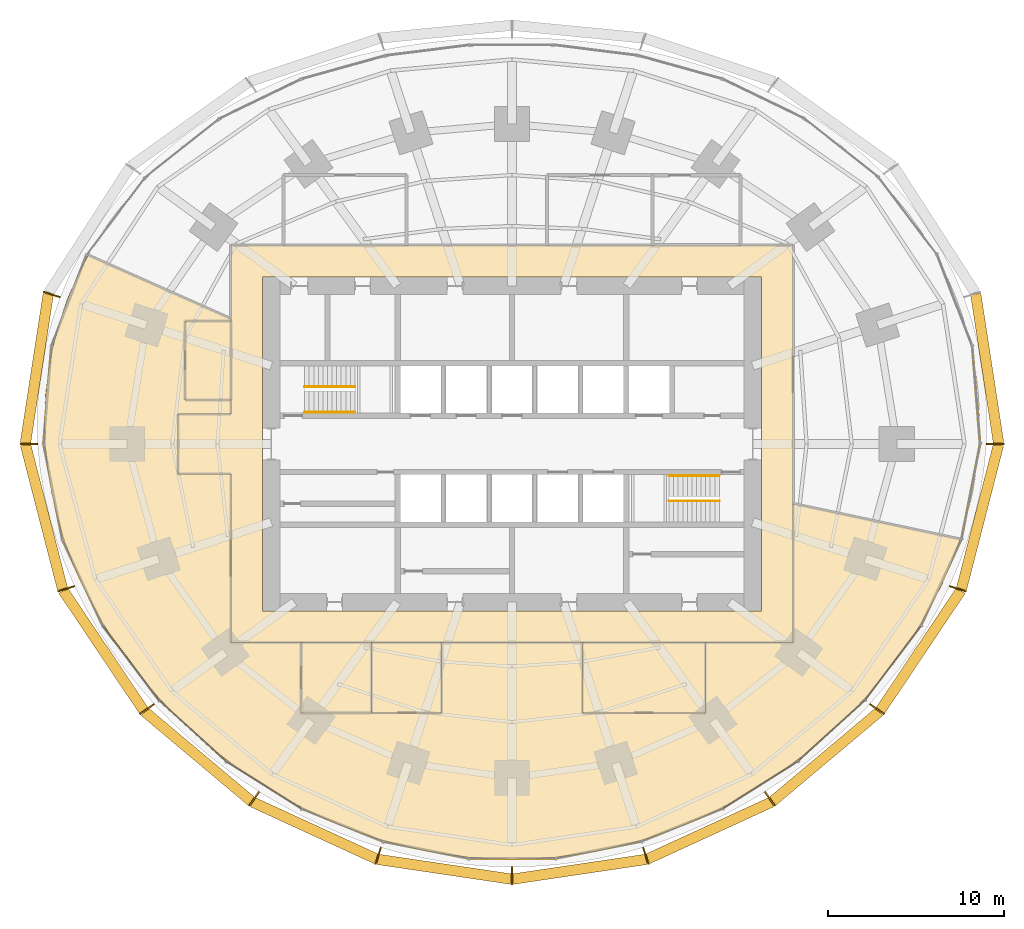
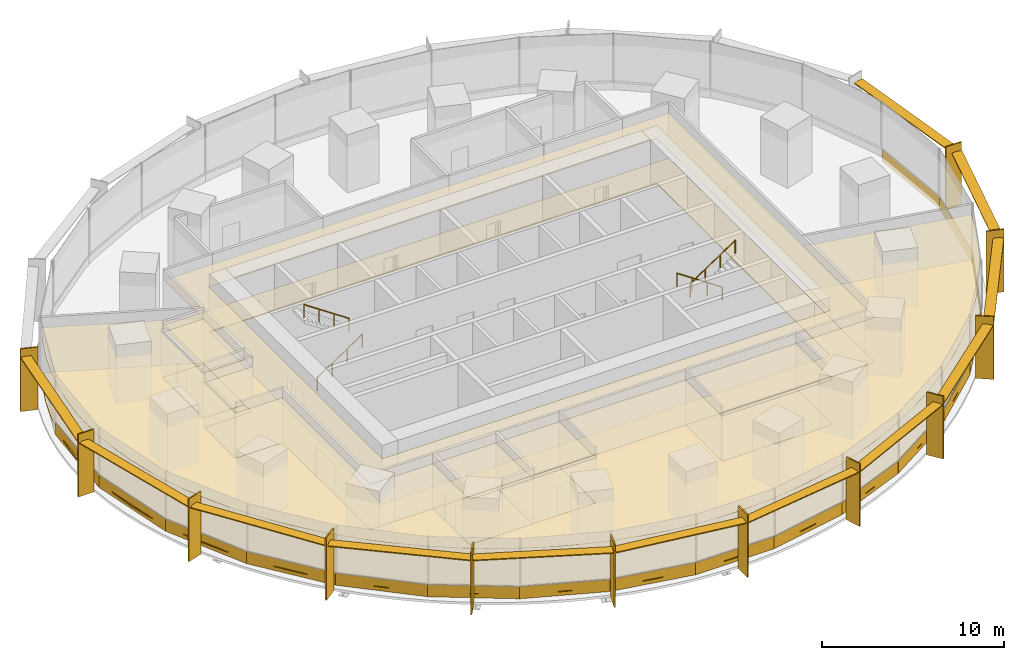
# One storey, part 14 of 15: 29 coverings, 24 shading devices, 4 railings.
"""IFC4 building model written with IfcOpenShell, lengths in metres."""

from ifc_helpers import new_model, si_unit, direction, frame, origin, origin_2d, place, context, subcontext, project, spatial, polyline, rectangle, circle, outline, extrude, material, layer, layer_set, type_object, element, save


model = new_model("IFC4")

# Units and contexts
model_context = context("Model", 3, precision=1e-05, world=origin(), true_north=direction((0.0, 1.0)))
body_context = subcontext(model_context, "Body", "Model", "MODEL_VIEW")
ifc_project = project(units=[si_unit("LENGTHUNIT", "METRE"), si_unit("AREAUNIT", "SQUARE_METRE"), si_unit("VOLUMEUNIT", "CUBIC_METRE"), si_unit("PLANEANGLEUNIT", "RADIAN"), si_unit("MASSUNIT", "GRAM", prefix="KILO")], contexts=[model_context])

# Site, building, storey
site_placement = place(None, origin())
site = spatial("IfcSite", under=ifc_project, at=site_placement, CompositionType="ELEMENT")
building_placement = place(site_placement, origin())
building = spatial("IfcBuilding", under=site, at=building_placement, Name="Marramba Exchange Tower", CompositionType="ELEMENT")
storey_placement = place(building_placement, frame((0.0, 0.0, 32.199951171875)))
storey = spatial("IfcBuildingStorey", under=building, at=storey_placement, Name="L07", CompositionType="ELEMENT", Elevation=32.199951171875)

# Shading devices
ifc_material_1 = material(Name="Aluminium blade, timber-look bronze finish", Category="wood")
ifc_layer_1 = layer(ifc_material_1, 0.080078125)
ifc_layer_set_1 = layer_set([ifc_layer_1], Name="Floor-edge blade 1000x80")
shading_device_type_1 = type_object("IfcShadingDeviceType", Name="Floor-edge blade 1000x80", PredefinedType="USERDEFINED", material=ifc_layer_set_1)
for number, where, z_axis, x_axis, name in (
    (1, (27.5, 0.0, -0.16015625), (0.0, 0.0, 1.0), (1.0, 0.0, 0.0), "Floor-edge blade FB1 L07 TC01"),
    (2, (-26.193115234375, 8.5107421875, -0.16015625), (0.0, 0.0, 1.0), (-0.951056516295, 0.309016994375, 0.0), "Floor-edge blade FB1 L07 TC10"),
    (3, (-27.5, 0.0, -0.16015625), (0.0, 0.0, 1.0), (-1.0, 0.0, 0.0), "Floor-edge blade FB1 L07 TC11"),
    (4, (-25.3740234375, -8.24462890625, -0.16015625), (0.0, 0.0, 1.0), (-0.951056516295, -0.309016994375, 0.0), "Floor-edge blade FB1 L07 TC12"),
    (5, (-20.773193359375, -15.092529296875, -0.16015625), (0.0, 0.0, 1.0), (-0.809016994375, -0.587785252292, 0.0), "Floor-edge blade FB1 L07 TC13"),
    (6, (-14.6787109375, -20.20361328125, -0.16015625), (0.0, 0.0, 1.0), (-0.587785252292, -0.809016994375, 0.0), "Floor-edge blade FB1 L07 TC14"),
    (7, (-7.61767578125, -23.444580078125, -0.16015625), (0.0, 0.0, 1.0), (-0.309016994375, -0.951056516295, 0.0), "Floor-edge blade FB1 L07 TC15"),
    (8, (0.0, -24.572021484375, -0.16015625), (0.0, 0.0, 1.0), (0.0, -1.0, 0.0), "Floor-edge blade FB1 L07 TC16"),
    (9, (7.61767578125, -23.444580078125, -0.16015625), (0.0, 0.0, 1.0), (0.309016994375, -0.951056516295, 0.0), "Floor-edge blade FB1 L07 TC17"),
    (10, (14.6787109375, -20.20361328125, -0.16015625), (0.0, 0.0, 1.0), (0.587785252292, -0.809016994375, 0.0), "Floor-edge blade FB1 L07 TC18"),
    (11, (20.773193359375, -15.092529296875, -0.16015625), (0.0, 0.0, 1.0), (0.809016994375, -0.587785252292, 0.0), "Floor-edge blade FB1 L07 TC19"),
    (12, (25.3740234375, -8.24462890625, -0.16015625), (0.0, 0.0, 1.0), (0.951056516295, -0.309016994375, 0.0), "Floor-edge blade FB1 L07 TC20"),
):
    element("IfcShadingDevice", number, at=place(storey_placement, frame(where, z_axis=z_axis, x_axis=x_axis)), inside=storey, type_object=shading_device_type_1, Name=name, ObjectType="FIN", PredefinedType="USERDEFINED", context=body_context, shape_type="SweptSolid", body=[
        extrude(rectangle(XDim=1.0, YDim=0.080078125, at=origin_2d()), origin(), (0.0, 0.0, 1.0), 4.199951171875),
    ])

# Coverings
ifc_material_2 = material(Name="Steel raised access floor panels", Category="steel")
ifc_layer_2 = layer(ifc_material_2, 0.050048828125)
ifc_layer_set_2 = layer_set([ifc_layer_2], Name="Raised access floor 300")
covering_type_1 = type_object("IfcCoveringType", Name="Raised access floor 300", PredefinedType="FLOORING", material=ifc_layer_set_2)
covering_1_placement = place(storey_placement, frame((0.0, 0.0, 0.25)))
element("IfcCovering", 13, at=covering_1_placement, inside=storey, type_object=covering_type_1, Name="Raised access floor RAF1 L07 Trading Floor 2", PredefinedType="FLOORING", context=body_context, shape_type="SweptSolid", body=[
    extrude(outline(polyline([(-19.0, 1.699951171875), (-19.0, -1.699951171875), (-16.0, -1.699951171875), (-16.0, -11.300048828125), (-12.0, -11.300048828125), (-12.0, -15.300048828125), (-8.0, -15.300048828125), (-4.0, -15.300048828125), (-4.0, -11.300048828125), (4.0, -11.300048828125), (4.0, -15.300048828125), (11.0, -15.300048828125), (11.0, -11.300048828125), (16.0, -11.300048828125), (16.0, -3.40087890625), (16.906494140625, -3.593505859375), (25.50634765625, -5.421630859375), (25.033935546875, -6.707763671875), (24.489501953125, -7.95703125), (23.879150390625, -9.166259765625), (23.208251953125, -10.3330078125), (22.482177734375, -11.455322265625), (21.7060546875, -12.531982421875), (20.88427734375, -13.5625), (20.020751953125, -14.5458984375), (19.119384765625, -15.482421875), (18.1826171875, -16.371826171875), (17.213623046875, -17.213623046875), (16.21435546875, -18.0078125), (15.1865234375, -18.75390625), (14.132080078125, -19.451171875), (13.052490234375, -20.09912109375), (11.94921875, -20.69677734375), (10.82373046875, -21.242919921875), (9.677734375, -21.736328125), (8.512451171875, -22.17578125), (7.330078125, -22.56005859375), (6.1328125, -22.8876953125), (4.92236328125, -23.15771484375), (3.701416015625, -23.368896484375), (2.47216796875, -23.5205078125), (1.2373046875, -23.611572265625), (0.0, -23.64208984375), (-1.2373046875, -23.611572265625), (-2.47216796875, -23.5205078125), (-3.701416015625, -23.368896484375), (-4.92236328125, -23.15771484375), (-6.1328125, -22.8876953125), (-7.330078125, -22.56005859375), (-8.512451171875, -22.17578125), (-9.677734375, -21.736328125), (-10.82373046875, -21.242919921875), (-11.94921875, -20.69677734375), (-13.052490234375, -20.09912109375), (-14.132080078125, -19.451171875), (-15.1865234375, -18.75390625), (-16.21435546875, -18.0078125), (-17.213623046875, -17.213623046875), (-18.1826171875, -16.371826171875), (-19.119384765625, -15.482421875), (-20.020751953125, -14.5458984375), (-20.88427734375, -13.5625), (-21.7060546875, -12.531982421875), (-22.482177734375, -11.455322265625), (-23.208251953125, -10.3330078125), (-23.879150390625, -9.166259765625), (-24.489501953125, -7.95703125), (-25.033935546875, -6.707763671875), (-25.50634765625, -5.421630859375), (-25.9013671875, -4.102294921875), (-26.213623046875, -2.755126953125), (-26.43798828125, -1.385498046875), (-26.570068359375, 0.0), (-26.6064453125, 1.394287109375), (-26.544921875, 2.7900390625), (-26.3837890625, 4.1787109375), (-26.123291015625, 5.552734375), (-25.763916015625, 6.9033203125), (-25.30859375, 8.22314453125), (-24.76025390625, 9.50439453125), (-24.12353515625, 10.740478515625), (-16.0, 7.123779296875), (-16.0, 7.0), (-18.60009765625, 7.0), (-18.60009765625, 2.5), (-16.0, 2.5), (-16.0, 1.699951171875), (-19.0, 1.699951171875)])), origin(), (0.0, 0.0, 1.0), 0.050048828125),
])
covering_2_placement = place(storey_placement, frame((0.0, 0.0, 0.25)))
element("IfcCovering", 14, at=covering_2_placement, inside=storey, type_object=covering_type_1, Name="Raised access floor RAF1 L07 Corridor", PredefinedType="FLOORING", context=body_context, shape_type="SweptSolid", body=[
    extrude(outline(polyline([(-16.0, 11.300048828125), (16.0, 11.300048828125), (16.0, -11.300048828125), (-16.0, -11.300048828125), (-16.0, -1.699951171875), (-19.0, -1.699951171875), (-19.0, 1.699951171875), (-16.0, 1.699951171875), (-16.0, 11.300048828125)]), holes=[polyline([(14.199951171875, 9.5), (-14.199951171875, 9.5), (-14.199951171875, 1.699951171875), (-14.199951171875, -1.699951171875), (-14.199951171875, -9.5), (14.199951171875, -9.5), (14.199951171875, 9.5)])]), origin(), (0.0, 0.0, 1.0), 0.050048828125),
])
covering_3_placement = place(storey_placement, frame((0.0, 0.0, 0.25)))
element("IfcCovering", 15, at=covering_3_placement, inside=storey, type_object=covering_type_1, Name="Raised access floor RAF1 L07 Pantry", PredefinedType="FLOORING", context=body_context, shape_type="SweptSolid", body=[
    extrude(outline(polyline([(11.0, -15.300048828125), (4.0, -15.300048828125), (4.0, -11.300048828125), (11.0, -11.300048828125), (11.0, -15.300048828125)])), origin(), (0.0, 0.0, 1.0), 0.050048828125),
])
covering_4_placement = place(storey_placement, frame((0.0, 0.0, 0.25)))
element("IfcCovering", 16, at=covering_4_placement, inside=storey, type_object=covering_type_1, Name="Raised access floor RAF1 L07 Data Room 2", PredefinedType="FLOORING", context=body_context, shape_type="SweptSolid", body=[
    extrude(outline(polyline([(-8.0, -15.300048828125), (-12.0, -15.300048828125), (-12.0, -11.300048828125), (-8.0, -11.300048828125), (-8.0, -15.300048828125)])), origin(), (0.0, 0.0, 1.0), 0.050048828125),
])
covering_5_placement = place(storey_placement, frame((0.0, 0.0, 0.25)))
element("IfcCovering", 17, at=covering_5_placement, inside=storey, type_object=covering_type_1, Name="Raised access floor RAF1 L07 Print Room", PredefinedType="FLOORING", context=body_context, shape_type="SweptSolid", body=[
    extrude(outline(polyline([(-4.0, -15.300048828125), (-8.0, -15.300048828125), (-8.0, -11.300048828125), (-4.0, -11.300048828125), (-4.0, -15.300048828125)])), origin(), (0.0, 0.0, 1.0), 0.050048828125),
])
covering_6_placement = place(storey_placement, frame((0.0, 0.0, 0.25)))
element("IfcCovering", 18, at=covering_6_placement, inside=storey, type_object=covering_type_1, Name="Raised access floor RAF1 L07 Interview Room", PredefinedType="FLOORING", context=body_context, shape_type="SweptSolid", body=[
    extrude(outline(polyline([(-16.0, 2.5), (-18.60009765625, 2.5), (-18.60009765625, 7.0), (-16.0, 7.0), (-16.0, 2.5)])), origin(), (0.0, 0.0, 1.0), 0.050048828125),
])

# Shading devices
ifc_material_3 = material(Name="Aluminium sunshade, bronze anodised", Category="aluminium")
ifc_layer_3 = layer(ifc_material_3, 0.06005859375)
ifc_layer_set_3 = layer_set([ifc_layer_3], Name="SUNSHADE blade 600x60")
shading_device_type_2 = type_object("IfcShadingDeviceType", Name="SUNSHADE blade 600x60", PredefinedType="USERDEFINED", material=ifc_layer_set_3)
for number, where, z_axis, x_axis, name in (
    (19, (27.04150390625, 4.2861328125, 3.4599609375), (0.0, 0.0, 1.0), (-0.151825486228, 0.988407315701, 0.0), "Sunshade SS1 L07 bay 01"),
    (20, (-27.04150390625, 4.2861328125, 3.4599609375), (0.0, 0.0, 1.0), (-0.151825486228, -0.988407315701, 0.0), "Sunshade SS1 L07 bay 10"),
):
    element("IfcShadingDevice", number, at=place(storey_placement, frame(where, z_axis=z_axis, x_axis=x_axis)), inside=storey, type_object=shading_device_type_2, Name=name, ObjectType="SUNSHADE", PredefinedType="USERDEFINED", context=body_context, shape_type="SweptSolid", body=[
        extrude(rectangle(XDim=8.593017578125, YDim=0.60009765625, at=origin_2d()), origin(), (0.0, 0.0, 1.0), 0.06005859375),
    ])
shading_device_1_placement = place(storey_placement, frame((-26.632080078125, -4.153076171875, 3.4599609375), z_axis=(0.0, 0.0, 1.0), x_axis=(0.249024641331, -0.968497149201, 0.0)))
element("IfcShadingDevice", 21, at=shading_device_1_placement, inside=storey, type_object=shading_device_type_2, Name="Sunshade SS1 L07 bay 11", ObjectType="SUNSHADE", PredefinedType="USERDEFINED", context=body_context, shape_type="SweptSolid", body=[
    extrude(rectangle(XDim=8.49658203125, YDim=0.60009765625, at=origin_2d()), origin(), (0.0, 0.0, 1.0), 0.06005859375),
])
shading_device_2_placement = place(storey_placement, frame((-23.24951171875, -11.75830078125, 3.4599609375), z_axis=(0.0, 0.0, 1.0), x_axis=(0.556924164761, -0.830563347798, 0.0)))
element("IfcShadingDevice", 22, at=shading_device_2_placement, inside=storey, type_object=shading_device_type_2, Name="Sunshade SS1 L07 bay 12", ObjectType="SUNSHADE", PredefinedType="USERDEFINED", context=body_context, shape_type="SweptSolid", body=[
    extrude(rectangle(XDim=8.232177734375, YDim=0.60009765625, at=origin_2d()), origin(), (0.0, 0.0, 1.0), 0.06005859375),
])
shading_device_3_placement = place(storey_placement, frame((-17.86572265625, -17.787841796875, 3.4599609375), z_axis=(0.0, 0.0, 1.0), x_axis=(0.765776068523, -0.643107310546, 0.0)))
element("IfcShadingDevice", 23, at=shading_device_3_placement, inside=storey, type_object=shading_device_type_2, Name="Sunshade SS1 L07 bay 13", ObjectType="SUNSHADE", PredefinedType="USERDEFINED", context=body_context, shape_type="SweptSolid", body=[
    extrude(rectangle(XDim=7.936279296875, YDim=0.60009765625, at=origin_2d()), origin(), (0.0, 0.0, 1.0), 0.06005859375),
])
shading_device_4_placement = place(storey_placement, frame((-11.23779296875, -22.0, 3.4599609375), z_axis=(0.0, 0.0, 1.0), x_axis=(0.908703542008, -0.417442059144, 0.0)))
element("IfcShadingDevice", 24, at=shading_device_4_placement, inside=storey, type_object=shading_device_type_2, Name="Sunshade SS1 L07 bay 14", ObjectType="SUNSHADE", PredefinedType="USERDEFINED", context=body_context, shape_type="SweptSolid", body=[
    extrude(rectangle(XDim=7.751953125, YDim=0.60009765625, at=origin_2d()), origin(), (0.0, 0.0, 1.0), 0.06005859375),
])
for number, where, z_axis, x_axis, name in (
    (25, (-3.839599609375, -24.203369140625, 3.4599609375), (0.0, 0.0, 1.0), (0.989212895923, -0.146484970356, 0.0), "Sunshade SS1 L07 bay 15"),
    (26, (3.839599609375, -24.203369140625, 3.4599609375), (0.0, 0.0, 1.0), (0.989212895923, 0.146484970356, 0.0), "Sunshade SS1 L07 bay 16"),
):
    element("IfcShadingDevice", number, at=place(storey_placement, frame(where, z_axis=z_axis, x_axis=x_axis)), inside=storey, type_object=shading_device_type_2, Name=name, ObjectType="SUNSHADE", PredefinedType="USERDEFINED", context=body_context, shape_type="SweptSolid", body=[
        extrude(rectangle(XDim=7.68310546875, YDim=0.60009765625, at=origin_2d()), origin(), (0.0, 0.0, 1.0), 0.06005859375),
    ])
shading_device_5_placement = place(storey_placement, frame((11.23779296875, -22.0, 3.4599609375), z_axis=(0.0, 0.0, 1.0), x_axis=(0.908703542008, 0.417442059144, 0.0)))
element("IfcShadingDevice", 27, at=shading_device_5_placement, inside=storey, type_object=shading_device_type_2, Name="Sunshade SS1 L07 bay 17", ObjectType="SUNSHADE", PredefinedType="USERDEFINED", context=body_context, shape_type="SweptSolid", body=[
    extrude(rectangle(XDim=7.751953125, YDim=0.60009765625, at=origin_2d()), origin(), (0.0, 0.0, 1.0), 0.06005859375),
])
shading_device_6_placement = place(storey_placement, frame((17.86572265625, -17.787841796875, 3.4599609375), z_axis=(0.0, 0.0, 1.0), x_axis=(0.765776068523, 0.643107310546, 0.0)))
element("IfcShadingDevice", 28, at=shading_device_6_placement, inside=storey, type_object=shading_device_type_2, Name="Sunshade SS1 L07 bay 18", ObjectType="SUNSHADE", PredefinedType="USERDEFINED", context=body_context, shape_type="SweptSolid", body=[
    extrude(rectangle(XDim=7.936279296875, YDim=0.60009765625, at=origin_2d()), origin(), (0.0, 0.0, 1.0), 0.06005859375),
])
shading_device_7_placement = place(storey_placement, frame((23.24951171875, -11.75830078125, 3.4599609375), z_axis=(0.0, 0.0, 1.0), x_axis=(0.556924164761, 0.830563347798, 0.0)))
element("IfcShadingDevice", 29, at=shading_device_7_placement, inside=storey, type_object=shading_device_type_2, Name="Sunshade SS1 L07 bay 19", ObjectType="SUNSHADE", PredefinedType="USERDEFINED", context=body_context, shape_type="SweptSolid", body=[
    extrude(rectangle(XDim=8.232177734375, YDim=0.60009765625, at=origin_2d()), origin(), (0.0, 0.0, 1.0), 0.06005859375),
])
shading_device_8_placement = place(storey_placement, frame((26.632080078125, -4.153076171875, 3.4599609375), z_axis=(0.0, 0.0, 1.0), x_axis=(0.249024641331, 0.968497149201, 0.0)))
element("IfcShadingDevice", 30, at=shading_device_8_placement, inside=storey, type_object=shading_device_type_2, Name="Sunshade SS1 L07 bay 20", ObjectType="SUNSHADE", PredefinedType="USERDEFINED", context=body_context, shape_type="SweptSolid", body=[
    extrude(rectangle(XDim=8.49658203125, YDim=0.60009765625, at=origin_2d()), origin(), (0.0, 0.0, 1.0), 0.06005859375),
])

# Coverings
ifc_material_4 = material(Name="Aluminium spandrel panel, bronze anodised, insulated", Category="aluminium")
ifc_layer_4 = layer(ifc_material_4, 0.050048828125)
ifc_layer_set_4 = layer_set([ifc_layer_4], Name="Spandrel panel 800")
covering_type_2 = type_object("IfcCoveringType", Name="Spandrel panel 800", PredefinedType="CLADDING", material=ifc_layer_set_4)
for number, where, z_axis, x_axis, name in (
    (31, (26.42578125, 2.78466796875, 0.0), (0.0, 0.0, 1.0), (-0.080275227657, 0.996772736297, 0.0), "Spandrel panel SP1 L07 F01"),
    (32, (-26.42578125, 2.78466796875, 0.0), (0.0, 0.0, 1.0), (-0.080275227657, -0.996772736297, 0.0), "Spandrel panel SP1 L07 F15"),
):
    element("IfcCovering", number, at=place(storey_placement, frame(where, z_axis=z_axis, x_axis=x_axis)), inside=storey, type_object=covering_type_2, Name=name, PredefinedType="CLADDING", context=body_context, shape_type="SweptSolid", body=[
        extrude(rectangle(XDim=5.58740234375, YDim=0.050048828125, at=origin_2d()), origin(), (0.0, 0.0, 1.0), 0.800048828125),
    ])
covering_7_placement = place(storey_placement, frame((-26.117431640625, -2.718994140625, 0.0), z_axis=(0.0, 0.0, 1.0), x_axis=(0.19224858127, -0.981346260501, 0.0)))
element("IfcCovering", 33, at=covering_7_placement, inside=storey, type_object=covering_type_2, Name="Spandrel panel SP1 L07 F16", PredefinedType="CLADDING", context=body_context, shape_type="SweptSolid", body=[
    extrude(rectangle(XDim=5.54150390625, YDim=0.050048828125, at=origin_2d()), origin(), (0.0, 0.0, 1.0), 0.800048828125),
])
covering_8_placement = place(storey_placement, frame((-24.432861328125, -7.90185546875, 0.0), z_axis=(0.0, 0.0, 1.0), x_axis=(0.423477213559, -0.905906755464, 0.0)))
element("IfcCovering", 34, at=covering_8_placement, inside=storey, type_object=covering_type_2, Name="Spandrel panel SP1 L07 F17", PredefinedType="CLADDING", context=body_context, shape_type="SweptSolid", body=[
    extrude(rectangle(XDim=5.439208984375, YDim=0.050048828125, at=origin_2d()), origin(), (0.0, 0.0, 1.0), 0.800048828125),
])
covering_9_placement = place(storey_placement, frame((-21.683349609375, -12.479248046875, 0.0), z_axis=(0.0, 0.0, 1.0), x_axis=(0.603040469481, -0.797710594243, 0.0)))
element("IfcCovering", 35, at=covering_9_placement, inside=storey, type_object=covering_type_2, Name="Spandrel panel SP1 L07 F18", PredefinedType="CLADDING", context=body_context, shape_type="SweptSolid", body=[
    extrude(rectangle(XDim=5.299560546875, YDim=0.050048828125, at=origin_2d()), origin(), (0.0, 0.0, 1.0), 0.800048828125),
])
covering_10_placement = place(storey_placement, frame((-18.1767578125, -16.330078125, 0.0), z_axis=(0.0, 0.0, 1.0), x_axis=(0.739589582203, -0.673058132628, 0.0)))
element("IfcCovering", 36, at=covering_10_placement, inside=storey, type_object=covering_type_2, Name="Spandrel panel SP1 L07 F19", PredefinedType="CLADDING", context=body_context, shape_type="SweptSolid", body=[
    extrude(rectangle(XDim=5.161865234375, YDim=0.050048828125, at=origin_2d()), origin(), (0.0, 0.0, 1.0), 0.800048828125),
])
covering_11_placement = place(storey_placement, frame((-14.128662109375, -19.416748046875, 0.0), z_axis=(0.0, 0.0, 1.0), x_axis=(0.845790829799, -0.533514641062, 0.0)))
element("IfcCovering", 37, at=covering_11_placement, inside=storey, type_object=covering_type_2, Name="Spandrel panel SP1 L07 F20", PredefinedType="CLADDING", context=body_context, shape_type="SweptSolid", body=[
    extrude(rectangle(XDim=5.05859375, YDim=0.050048828125, at=origin_2d()), origin(), (0.0, 0.0, 1.0), 0.800048828125),
])
covering_12_placement = place(storey_placement, frame((-9.672119140625, -21.701171875, 0.0), z_axis=(0.0, 0.0, 1.0), x_axis=(0.927340675001, -0.374218215069, 0.0)))
element("IfcCovering", 38, at=covering_12_placement, inside=storey, type_object=covering_type_2, Name="Spandrel panel SP1 L07 F21", PredefinedType="CLADDING", context=body_context, shape_type="SweptSolid", body=[
    extrude(rectangle(XDim=4.99755859375, YDim=0.050048828125, at=origin_2d()), origin(), (0.0, 0.0, 1.0), 0.800048828125),
])
covering_13_placement = place(storey_placement, frame((-4.917724609375, -23.1181640625, 0.0), z_axis=(0.0, 0.0, 1.0), x_axis=(0.981009201842, -0.193961196898, 0.0)))
element("IfcCovering", 39, at=covering_13_placement, inside=storey, type_object=covering_type_2, Name="Spandrel panel SP1 L07 F22", PredefinedType="CLADDING", context=body_context, shape_type="SweptSolid", body=[
    extrude(rectangle(XDim=4.96875, YDim=0.050048828125, at=origin_2d()), origin(), (0.0, 0.0, 1.0), 0.800048828125),
])
covering_14_placement = place(storey_placement, frame((0.0, -23.599853515625, 0.0), z_axis=(0.0, 0.0, 1.0), x_axis=(1.0, 0.0, 0.0)))
element("IfcCovering", 40, at=covering_14_placement, inside=storey, type_object=covering_type_2, Name="Spandrel panel SP1 L07 F23", PredefinedType="CLADDING", context=body_context, shape_type="SweptSolid", body=[
    extrude(rectangle(XDim=4.9609375, YDim=0.050048828125, at=origin_2d()), origin(), (0.0, 0.0, 1.0), 0.800048828125),
])
covering_15_placement = place(storey_placement, frame((4.917724609375, -23.1181640625, 0.0), z_axis=(0.0, 0.0, 1.0), x_axis=(0.981009201842, 0.193961196898, 0.0)))
element("IfcCovering", 41, at=covering_15_placement, inside=storey, type_object=covering_type_2, Name="Spandrel panel SP1 L07 F24", PredefinedType="CLADDING", context=body_context, shape_type="SweptSolid", body=[
    extrude(rectangle(XDim=4.96875, YDim=0.050048828125, at=origin_2d()), origin(), (0.0, 0.0, 1.0), 0.800048828125),
])
covering_16_placement = place(storey_placement, frame((9.672119140625, -21.701171875, 0.0), z_axis=(0.0, 0.0, 1.0), x_axis=(0.927340675001, 0.374218215069, 0.0)))
element("IfcCovering", 42, at=covering_16_placement, inside=storey, type_object=covering_type_2, Name="Spandrel panel SP1 L07 F25", PredefinedType="CLADDING", context=body_context, shape_type="SweptSolid", body=[
    extrude(rectangle(XDim=4.99755859375, YDim=0.050048828125, at=origin_2d()), origin(), (0.0, 0.0, 1.0), 0.800048828125),
])
covering_17_placement = place(storey_placement, frame((14.128662109375, -19.416748046875, 0.0), z_axis=(0.0, 0.0, 1.0), x_axis=(0.845790829799, 0.533514641062, 0.0)))
element("IfcCovering", 43, at=covering_17_placement, inside=storey, type_object=covering_type_2, Name="Spandrel panel SP1 L07 F26", PredefinedType="CLADDING", context=body_context, shape_type="SweptSolid", body=[
    extrude(rectangle(XDim=5.05859375, YDim=0.050048828125, at=origin_2d()), origin(), (0.0, 0.0, 1.0), 0.800048828125),
])
covering_18_placement = place(storey_placement, frame((18.1767578125, -16.330078125, 0.0), z_axis=(0.0, 0.0, 1.0), x_axis=(0.739589582203, 0.673058132628, 0.0)))
element("IfcCovering", 44, at=covering_18_placement, inside=storey, type_object=covering_type_2, Name="Spandrel panel SP1 L07 F27", PredefinedType="CLADDING", context=body_context, shape_type="SweptSolid", body=[
    extrude(rectangle(XDim=5.161865234375, YDim=0.050048828125, at=origin_2d()), origin(), (0.0, 0.0, 1.0), 0.800048828125),
])
covering_19_placement = place(storey_placement, frame((21.683349609375, -12.479248046875, 0.0), z_axis=(0.0, 0.0, 1.0), x_axis=(0.603040469481, 0.797710594243, 0.0)))
element("IfcCovering", 45, at=covering_19_placement, inside=storey, type_object=covering_type_2, Name="Spandrel panel SP1 L07 F28", PredefinedType="CLADDING", context=body_context, shape_type="SweptSolid", body=[
    extrude(rectangle(XDim=5.299560546875, YDim=0.050048828125, at=origin_2d()), origin(), (0.0, 0.0, 1.0), 0.800048828125),
])
covering_20_placement = place(storey_placement, frame((24.432861328125, -7.90185546875, 0.0), z_axis=(0.0, 0.0, 1.0), x_axis=(0.423477213559, 0.905906755464, 0.0)))
element("IfcCovering", 46, at=covering_20_placement, inside=storey, type_object=covering_type_2, Name="Spandrel panel SP1 L07 F29", PredefinedType="CLADDING", context=body_context, shape_type="SweptSolid", body=[
    extrude(rectangle(XDim=5.439208984375, YDim=0.050048828125, at=origin_2d()), origin(), (0.0, 0.0, 1.0), 0.800048828125),
])
covering_21_placement = place(storey_placement, frame((26.117431640625, -2.718994140625, 0.0), z_axis=(0.0, 0.0, 1.0), x_axis=(0.19224858127, 0.981346260501, 0.0)))
element("IfcCovering", 47, at=covering_21_placement, inside=storey, type_object=covering_type_2, Name="Spandrel panel SP1 L07 F30", PredefinedType="CLADDING", context=body_context, shape_type="SweptSolid", body=[
    extrude(rectangle(XDim=5.54150390625, YDim=0.050048828125, at=origin_2d()), origin(), (0.0, 0.0, 1.0), 0.800048828125),
])

# Railings
ifc_material_5 = material(Name="Stainless steel handrail", Category="steel")
railing_type = type_object("IfcRailingType", Name="Stair handrail 900", PredefinedType="HANDRAIL", material=ifc_material_5)
railing_1_placement = place(storey_placement, frame((-11.800048828125, 1.800048828125, 0.175048828125)))
element("IfcRailing", 48, at=railing_1_placement, inside=storey, type_object=railing_type, Name="Handrail HR1 ST1 L07 flight 1", PredefinedType="HANDRAIL", context=body_context, shape_type="SweptSolid", body=[
    extrude(circle(Radius=0.02392578125, at=origin_2d()), frame((0.0, 0.0, 0.8759765625), z_axis=(0.829590901723, 0.0, 0.558371682465), x_axis=(0.0, 1.0, 0.0)), (0.0, 0.0, 1.0), 3.447509765625),
    extrude(circle(Radius=0.02099609375, at=origin_2d()), origin(), (0.0, 0.0, 1.0), 0.851806640625),
    extrude(circle(Radius=0.02099609375, at=origin_2d()), frame((0.953369140625, 0.0, 0.6416015625)), (0.0, 0.0, 1.0), 0.851806640625),
    extrude(circle(Radius=0.02099609375, at=origin_2d()), frame((1.90673828125, 0.0, 1.283447265625)), (0.0, 0.0, 1.0), 0.851806640625),
    extrude(circle(Radius=0.02099609375, at=origin_2d()), frame((2.860107421875, 0.0, 1.925048828125)), (0.0, 0.0, 1.0), 0.851806640625),
])
railing_2_placement = place(storey_placement, frame((-8.93994140625, 3.25, 2.275146484375)))
element("IfcRailing", 49, at=railing_2_placement, inside=storey, type_object=railing_type, Name="Handrail HR1 ST1 L07 flight 2", PredefinedType="HANDRAIL", context=body_context, shape_type="SweptSolid", body=[
    extrude(circle(Radius=0.02392578125, at=origin_2d()), frame((0.0, 0.0, 0.8759765625), z_axis=(-0.829623704247, 0.0, 0.558322943601), x_axis=(0.0, -1.0, 0.0)), (0.0, 0.0, 1.0), 3.447509765625),
    extrude(circle(Radius=0.02099609375, at=origin_2d()), origin(), (0.0, 0.0, 1.0), 0.851806640625),
    extrude(circle(Radius=0.02099609375, at=origin_2d()), frame((-0.953369140625, 0.0, 0.6416015625)), (0.0, 0.0, 1.0), 0.851806640625),
    extrude(circle(Radius=0.02099609375, at=origin_2d()), frame((-1.90673828125, 0.0, 1.283203125)), (0.0, 0.0, 1.0), 0.851806640625),
    extrude(circle(Radius=0.02099609375, at=origin_2d()), frame((-2.860107421875, 0.0, 1.9248046875)), (0.0, 0.0, 1.0), 0.851806640625),
])
railing_3_placement = place(storey_placement, frame((11.800048828125, -1.800048828125, 0.175048828125)))
element("IfcRailing", 50, at=railing_3_placement, inside=storey, type_object=railing_type, Name="Handrail HR1 ST2 L07 flight 1", PredefinedType="HANDRAIL", context=body_context, shape_type="SweptSolid", body=[
    extrude(circle(Radius=0.02392578125, at=origin_2d()), frame((0.0, 0.0, 0.8759765625), z_axis=(-0.829590901723, 0.0, 0.558371682465), x_axis=(0.0, -1.0, 0.0)), (0.0, 0.0, 1.0), 3.447509765625),
    extrude(circle(Radius=0.02099609375, at=origin_2d()), origin(), (0.0, 0.0, 1.0), 0.851806640625),
    extrude(circle(Radius=0.02099609375, at=origin_2d()), frame((-0.953369140625, 0.0, 0.6416015625)), (0.0, 0.0, 1.0), 0.851806640625),
    extrude(circle(Radius=0.02099609375, at=origin_2d()), frame((-1.90673828125, 0.0, 1.283447265625)), (0.0, 0.0, 1.0), 0.851806640625),
    extrude(circle(Radius=0.02099609375, at=origin_2d()), frame((-2.860107421875, 0.0, 1.925048828125)), (0.0, 0.0, 1.0), 0.851806640625),
])
railing_4_placement = place(storey_placement, frame((8.93994140625, -3.25, 2.275146484375)))
element("IfcRailing", 51, at=railing_4_placement, inside=storey, type_object=railing_type, Name="Handrail HR1 ST2 L07 flight 2", PredefinedType="HANDRAIL", context=body_context, shape_type="SweptSolid", body=[
    extrude(circle(Radius=0.02392578125, at=origin_2d()), frame((0.0, 0.0, 0.8759765625), z_axis=(0.829623704247, 0.0, 0.558322943601), x_axis=(0.0, 1.0, 0.0)), (0.0, 0.0, 1.0), 3.447509765625),
    extrude(circle(Radius=0.02099609375, at=origin_2d()), origin(), (0.0, 0.0, 1.0), 0.851806640625),
    extrude(circle(Radius=0.02099609375, at=origin_2d()), frame((0.953369140625, 0.0, 0.6416015625)), (0.0, 0.0, 1.0), 0.851806640625),
    extrude(circle(Radius=0.02099609375, at=origin_2d()), frame((1.90673828125, 0.0, 1.283203125)), (0.0, 0.0, 1.0), 0.851806640625),
    extrude(circle(Radius=0.02099609375, at=origin_2d()), frame((2.860107421875, 0.0, 1.9248046875)), (0.0, 0.0, 1.0), 0.851806640625),
])

# Coverings
ifc_material_6 = material(Name="Mineral fibre ceiling tiles", Category="gypsum")
ifc_layer_5 = layer(ifc_material_6, 0.02001953125)
ifc_layer_set_5 = layer_set([ifc_layer_5], Name="Suspended ceiling 20")
covering_type_3 = type_object("IfcCoveringType", Name="Suspended ceiling 20", PredefinedType="CEILING", material=ifc_layer_set_5)
covering_22_placement = place(storey_placement, frame((0.0, 0.0, 3.300048828125)))
element("IfcCovering", 52, at=covering_22_placement, inside=storey, type_object=covering_type_3, Name="Ceiling CL1 L07 Trading Floor 2", PredefinedType="CEILING", context=body_context, shape_type="SweptSolid", body=[
    extrude(outline(polyline([(-19.0, 1.699951171875), (-19.0, -1.699951171875), (-16.0, -1.699951171875), (-16.0, -11.300048828125), (-12.0, -11.300048828125), (-12.0, -15.300048828125), (-8.0, -15.300048828125), (-4.0, -15.300048828125), (-4.0, -11.300048828125), (4.0, -11.300048828125), (4.0, -15.300048828125), (11.0, -15.300048828125), (11.0, -11.300048828125), (16.0, -11.300048828125), (16.0, -3.40087890625), (16.906494140625, -3.593505859375), (25.50634765625, -5.421630859375), (25.033935546875, -6.707763671875), (24.489501953125, -7.95703125), (23.879150390625, -9.166259765625), (23.208251953125, -10.3330078125), (22.482177734375, -11.455322265625), (21.7060546875, -12.531982421875), (20.88427734375, -13.5625), (20.020751953125, -14.5458984375), (19.119384765625, -15.482421875), (18.1826171875, -16.371826171875), (17.213623046875, -17.213623046875), (16.21435546875, -18.0078125), (15.1865234375, -18.75390625), (14.132080078125, -19.451171875), (13.052490234375, -20.09912109375), (11.94921875, -20.69677734375), (10.82373046875, -21.242919921875), (9.677734375, -21.736328125), (8.512451171875, -22.17578125), (7.330078125, -22.56005859375), (6.1328125, -22.8876953125), (4.92236328125, -23.15771484375), (3.701416015625, -23.368896484375), (2.47216796875, -23.5205078125), (1.2373046875, -23.611572265625), (0.0, -23.64208984375), (-1.2373046875, -23.611572265625), (-2.47216796875, -23.5205078125), (-3.701416015625, -23.368896484375), (-4.92236328125, -23.15771484375), (-6.1328125, -22.8876953125), (-7.330078125, -22.56005859375), (-8.512451171875, -22.17578125), (-9.677734375, -21.736328125), (-10.82373046875, -21.242919921875), (-11.94921875, -20.69677734375), (-13.052490234375, -20.09912109375), (-14.132080078125, -19.451171875), (-15.1865234375, -18.75390625), (-16.21435546875, -18.0078125), (-17.213623046875, -17.213623046875), (-18.1826171875, -16.371826171875), (-19.119384765625, -15.482421875), (-20.020751953125, -14.5458984375), (-20.88427734375, -13.5625), (-21.7060546875, -12.531982421875), (-22.482177734375, -11.455322265625), (-23.208251953125, -10.3330078125), (-23.879150390625, -9.166259765625), (-24.489501953125, -7.95703125), (-25.033935546875, -6.707763671875), (-25.50634765625, -5.421630859375), (-25.9013671875, -4.102294921875), (-26.213623046875, -2.755126953125), (-26.43798828125, -1.385498046875), (-26.570068359375, 0.0), (-26.6064453125, 1.394287109375), (-26.544921875, 2.7900390625), (-26.3837890625, 4.1787109375), (-26.123291015625, 5.552734375), (-25.763916015625, 6.9033203125), (-25.30859375, 8.22314453125), (-24.76025390625, 9.50439453125), (-24.12353515625, 10.740478515625), (-16.0, 7.123779296875), (-16.0, 7.0), (-18.60009765625, 7.0), (-18.60009765625, 2.5), (-16.0, 2.5), (-16.0, 1.699951171875), (-19.0, 1.699951171875)])), origin(), (0.0, 0.0, 1.0), 0.02001953125),
])
covering_23_placement = place(storey_placement, frame((0.0, 0.0, 3.300048828125)))
element("IfcCovering", 53, at=covering_23_placement, inside=storey, type_object=covering_type_3, Name="Ceiling CL1 L07 Corridor", PredefinedType="CEILING", context=body_context, shape_type="SweptSolid", body=[
    extrude(outline(polyline([(-16.0, 11.300048828125), (16.0, 11.300048828125), (16.0, -11.300048828125), (-16.0, -11.300048828125), (-16.0, -1.699951171875), (-19.0, -1.699951171875), (-19.0, 1.699951171875), (-16.0, 1.699951171875), (-16.0, 11.300048828125)]), holes=[polyline([(14.199951171875, 9.5), (-14.199951171875, 9.5), (-14.199951171875, 1.699951171875), (-14.199951171875, -1.699951171875), (-14.199951171875, -9.5), (14.199951171875, -9.5), (14.199951171875, 9.5)])]), origin(), (0.0, 0.0, 1.0), 0.02001953125),
])
covering_24_placement = place(storey_placement, frame((0.0, 0.0, 3.300048828125)))
element("IfcCovering", 54, at=covering_24_placement, inside=storey, type_object=covering_type_3, Name="Ceiling CL1 L07 Pantry", PredefinedType="CEILING", context=body_context, shape_type="SweptSolid", body=[
    extrude(outline(polyline([(11.0, -15.300048828125), (4.0, -15.300048828125), (4.0, -11.300048828125), (11.0, -11.300048828125), (11.0, -15.300048828125)])), origin(), (0.0, 0.0, 1.0), 0.02001953125),
])
covering_25_placement = place(storey_placement, frame((0.0, 0.0, 3.300048828125)))
element("IfcCovering", 55, at=covering_25_placement, inside=storey, type_object=covering_type_3, Name="Ceiling CL1 L07 Data Room 2", PredefinedType="CEILING", context=body_context, shape_type="SweptSolid", body=[
    extrude(outline(polyline([(-8.0, -15.300048828125), (-12.0, -15.300048828125), (-12.0, -11.300048828125), (-8.0, -11.300048828125), (-8.0, -15.300048828125)])), origin(), (0.0, 0.0, 1.0), 0.02001953125),
])
covering_26_placement = place(storey_placement, frame((0.0, 0.0, 3.300048828125)))
element("IfcCovering", 56, at=covering_26_placement, inside=storey, type_object=covering_type_3, Name="Ceiling CL1 L07 Print Room", PredefinedType="CEILING", context=body_context, shape_type="SweptSolid", body=[
    extrude(outline(polyline([(-4.0, -15.300048828125), (-8.0, -15.300048828125), (-8.0, -11.300048828125), (-4.0, -11.300048828125), (-4.0, -15.300048828125)])), origin(), (0.0, 0.0, 1.0), 0.02001953125),
])
covering_27_placement = place(storey_placement, frame((0.0, 0.0, 3.300048828125)))
element("IfcCovering", 57, at=covering_27_placement, inside=storey, type_object=covering_type_3, Name="Ceiling CL1 L07 Interview Room", PredefinedType="CEILING", context=body_context, shape_type="SweptSolid", body=[
    extrude(outline(polyline([(-16.0, 2.5), (-18.60009765625, 2.5), (-18.60009765625, 7.0), (-16.0, 7.0), (-16.0, 2.5)])), origin(), (0.0, 0.0, 1.0), 0.02001953125),
])

save(model, "model.ifc")
